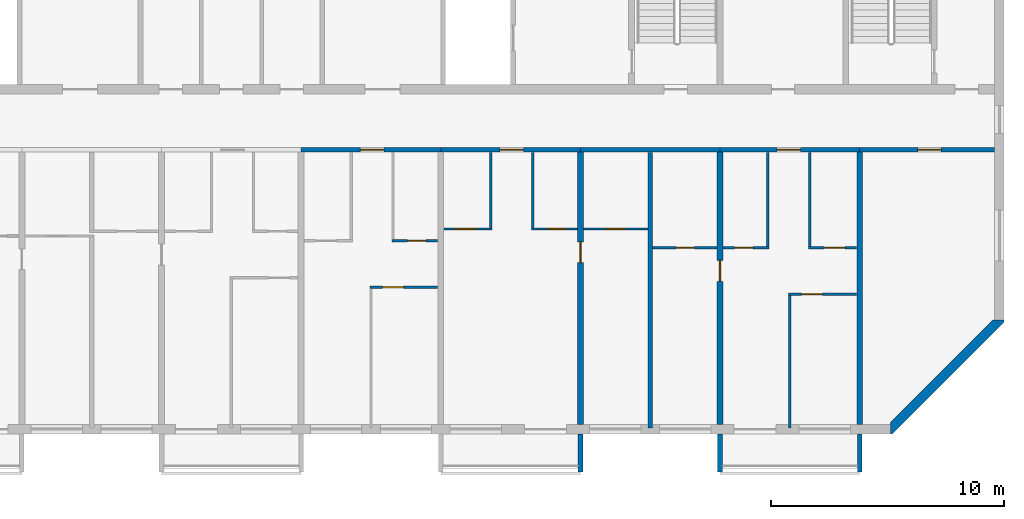
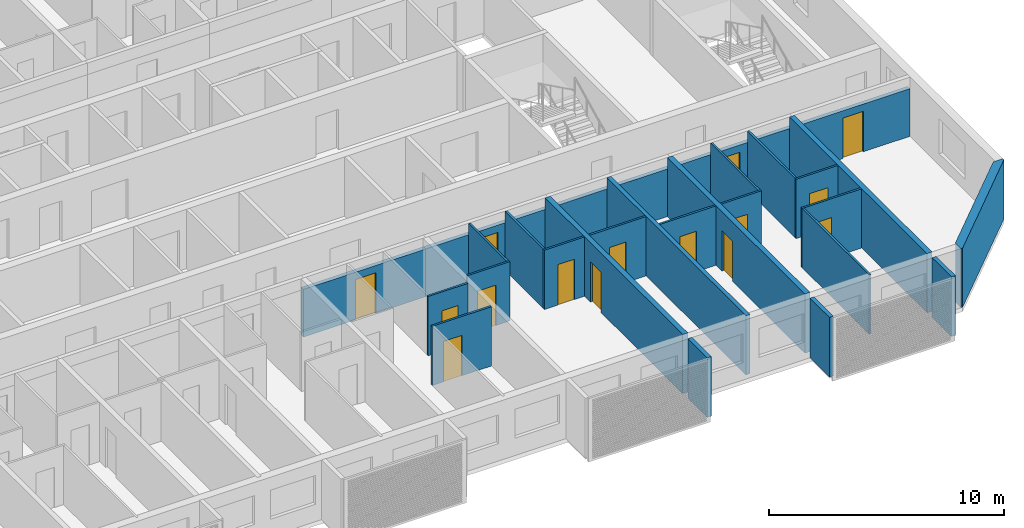
# One storey, part 5 of 27: 27 walls, 15 doors, 15 openings.
"""IFC4 building model written with IfcOpenShell, lengths in metres."""

from ifc_helpers import new_model, si_unit, direction, frame, frame_2d, origin, place, context, subcontext, project, spatial, polyline, rectangle, outline, extrude, source, transform, mapped, material, layer, layer_set, type_object, element, fill, save


model = new_model("IFC4")

# Units and contexts
model_context = context("Model", 3, precision=1e-05, world=origin(), true_north=direction((0.0, 1.0)))
body_context = subcontext(model_context, "Body", "Model", "MODEL_VIEW")
ifc_project = project(units=[si_unit("LENGTHUNIT", "METRE"), si_unit("AREAUNIT", "SQUARE_METRE"), si_unit("VOLUMEUNIT", "CUBIC_METRE"), si_unit("PLANEANGLEUNIT", "RADIAN"), si_unit("MASSUNIT", "GRAM", prefix="KILO")], contexts=[model_context])

# Site, building, storey
site_placement = place(None, origin())
site = spatial("IfcSite", under=ifc_project, at=site_placement, CompositionType="ELEMENT")
building_placement = place(site_placement, origin())
building = spatial("IfcBuilding", under=site, at=building_placement, Name="Poui Terraces", CompositionType="ELEMENT")
storey_placement = place(building_placement, frame((0.0, 0.0, 191.699951171875)))
storey = spatial("IfcBuildingStorey", under=building, at=storey_placement, Name="L53", CompositionType="ELEMENT", Elevation=191.699951171875)

# Wall, opening, door
ifc_material_1 = material(Name="Concrete 50 MPa", Category="concrete")
ifc_layer_1 = layer(ifc_material_1, 0.199951171875)
ifc_layer_set_1 = layer_set([ifc_layer_1], Name="Concrete 50 MPa")
wall_type_1 = type_object("IfcWallType", Name="CORRIDOR WALL 200 50MPa", PredefinedType="SHEAR", material=ifc_layer_set_1)
wall_1_placement = place(storey_placement, frame((54.0, 12.0, 0.0), z_axis=(0.0, 0.0, 1.0), x_axis=(1.0, 0.0, 0.0)))
wall_1 = element("IfcWall", 1, at=wall_1_placement, inside=storey, type_object=wall_type_1, Name="CORRIDOR WALL LINE B BAY 7", PredefinedType="SHEAR", context=body_context, shape_type="SweptSolid", body=[
    extrude(rectangle(XDim=6.0, YDim=0.199951171875, at=frame_2d((3.0, 0.0))), origin(), (0.0, 0.0, 1.0), 2.47998046875),
])
opening_1_placement = place(wall_1_placement, frame((2.550048828125, 0.0, 0.0)))
opening_1 = element("IfcOpeningElement", 2, at=opening_1_placement, cuts=wall_1, Name="Opening FD30S", PredefinedType="OPENING", context=body_context, shape_type="SweptSolid", body=[
    extrude(rectangle(XDim=1.0, YDim=2.10009765625, at=frame_2d((0.5, 1.050048828125))), frame((0.0, 0.10986328125, 0.0), z_axis=(0.0, -1.0, 0.0), x_axis=(1.0, 0.0, 0.0)), (0.0, 0.0, 1.0), 0.219970703125),
])
ifc_material_2 = material(Name="Steel fire door", Category="steel")
door_type_1 = type_object("IfcDoorType", Name="FLAT ENTRANCE DOOR 1000 X 2100", OperationType="NOTDEFINED", PredefinedType="DOOR", material=ifc_material_2)
door_1_placement = place(opening_1_placement, frame((1.0, 0.0, 0.0), z_axis=(0.0, 0.0, 1.0), x_axis=(-1.0, 0.0, 0.0)))
door_1 = element("IfcDoor", 3, at=door_1_placement, inside=storey, type_object=door_type_1, Name="FLAT ENTRANCE DOOR 084", OperationType="SINGLE_SWING_LEFT", OverallHeight=2.10009765625, OverallWidth=1.0, PredefinedType="DOOR", context=body_context, shape_type="SweptSolid", body=[
    extrude(rectangle(XDim=1.0, YDim=2.10009765625, at=frame_2d((0.5, 1.050048828125))), frame((0.0, 0.02490234375, 0.0), z_axis=(0.0, -1.0, 0.0), x_axis=(1.0, 0.0, 0.0)), (0.0, 0.0, 1.0), 0.050048828125),
])
fill(opening_1, door_1)

wall_2_placement = place(storey_placement, frame((60.0, 12.0, 0.0), z_axis=(0.0, 0.0, 1.0), x_axis=(1.0, 0.0, 0.0)))
wall_2 = element("IfcWall", 4, at=wall_2_placement, inside=storey, type_object=wall_type_1, Name="CORRIDOR WALL LINE B BAY 8", PredefinedType="SHEAR", context=body_context, shape_type="SweptSolid", body=[
    extrude(rectangle(XDim=6.0, YDim=0.199951171875, at=frame_2d((3.0, 0.0))), origin(), (0.0, 0.0, 1.0), 2.47998046875),
])
opening_2_placement = place(wall_2_placement, frame((2.550048828125, 0.0, 0.0)))
opening_2 = element("IfcOpeningElement", 5, at=opening_2_placement, cuts=wall_2, Name="Opening FD30S", PredefinedType="OPENING", context=body_context, shape_type="SweptSolid", body=[
    extrude(rectangle(XDim=1.0, YDim=2.10009765625, at=frame_2d((0.5, 1.050048828125))), frame((0.0, 0.10986328125, 0.0), z_axis=(0.0, -1.0, 0.0), x_axis=(1.0, 0.0, 0.0)), (0.0, 0.0, 1.0), 0.219970703125),
])
door_2_placement = place(opening_2_placement, frame((1.0, 0.0, 0.0), z_axis=(0.0, 0.0, 1.0), x_axis=(-1.0, 0.0, 0.0)))
door_2 = element("IfcDoor", 6, at=door_2_placement, inside=storey, type_object=door_type_1, Name="FLAT ENTRANCE DOOR 089", OperationType="SINGLE_SWING_LEFT", OverallHeight=2.10009765625, OverallWidth=1.0, PredefinedType="DOOR", context=body_context, shape_type="SweptSolid", body=[
    extrude(rectangle(XDim=1.0, YDim=2.10009765625, at=frame_2d((0.5, 1.050048828125))), frame((0.0, 0.02490234375, 0.0), z_axis=(0.0, -1.0, 0.0), x_axis=(1.0, 0.0, 0.0)), (0.0, 0.0, 1.0), 0.050048828125),
])
fill(opening_2, door_2)

# Wall
wall_3_placement = place(storey_placement, frame((66.0, 12.0, 0.0), z_axis=(0.0, 0.0, 1.0), x_axis=(1.0, 0.0, 0.0)))
element("IfcWall", 7, at=wall_3_placement, inside=storey, type_object=wall_type_1, Name="CORRIDOR WALL LINE B BAY 9", PredefinedType="SHEAR", context=body_context, shape_type="SweptSolid", body=[
    extrude(rectangle(XDim=6.0, YDim=0.199951171875, at=frame_2d((3.0, 0.0))), origin(), (0.0, 0.0, 1.0), 2.47998046875),
])

# Wall, opening, door
wall_4_placement = place(storey_placement, frame((72.0, 12.0, 0.0), z_axis=(0.0, 0.0, 1.0), x_axis=(1.0, 0.0, 0.0)))
wall_4 = element("IfcWall", 8, at=wall_4_placement, inside=storey, type_object=wall_type_1, Name="CORRIDOR WALL LINE B BAY 10", PredefinedType="SHEAR", context=body_context, shape_type="SweptSolid", body=[
    extrude(rectangle(XDim=6.0, YDim=0.199951171875, at=frame_2d((3.0, 0.0))), origin(), (0.0, 0.0, 1.0), 2.47998046875),
])
opening_3_placement = place(wall_4_placement, frame((2.449951171875, 0.0, 0.0)))
opening_3 = element("IfcOpeningElement", 9, at=opening_3_placement, cuts=wall_4, Name="Opening FD30S", PredefinedType="OPENING", context=body_context, shape_type="SweptSolid", body=[
    extrude(rectangle(XDim=1.0, YDim=2.10009765625, at=frame_2d((0.5, 1.050048828125))), frame((0.0, 0.10986328125, 0.0), z_axis=(0.0, -1.0, 0.0), x_axis=(1.0, 0.0, 0.0)), (0.0, 0.0, 1.0), 0.219970703125),
])
door_3_placement = place(opening_3_placement, frame((1.0, 0.0, 0.0), z_axis=(0.0, 0.0, 1.0), x_axis=(-1.0, 0.0, 0.0)))
door_3 = element("IfcDoor", 10, at=door_3_placement, inside=storey, type_object=door_type_1, Name="FLAT ENTRANCE DOOR 095", OperationType="SINGLE_SWING_RIGHT", OverallHeight=2.10009765625, OverallWidth=1.0, PredefinedType="DOOR", context=body_context, shape_type="SweptSolid", body=[
    extrude(rectangle(XDim=1.0, YDim=2.10009765625, at=frame_2d((0.5, 1.050048828125))), frame((0.0, 0.02490234375, 0.0), z_axis=(0.0, -1.0, 0.0), x_axis=(1.0, 0.0, 0.0)), (0.0, 0.0, 1.0), 0.050048828125),
])
fill(opening_3, door_3)

wall_5_placement = place(storey_placement, frame((78.0, 12.0, 0.0), z_axis=(0.0, 0.0, 1.0), x_axis=(1.0, 0.0, 0.0)))
wall_5 = element("IfcWall", 11, at=wall_5_placement, inside=storey, type_object=wall_type_1, Name="CORRIDOR WALL LINE B BAY 11", PredefinedType="SHEAR", context=body_context, shape_type="SweptSolid", body=[
    extrude(rectangle(XDim=5.800048828125, YDim=0.199951171875, at=frame_2d((2.89990234375, 0.0))), origin(), (0.0, 0.0, 1.0), 2.47998046875),
])
opening_4_placement = place(wall_5_placement, frame((2.5, 0.0, 0.0)))
opening_4 = element("IfcOpeningElement", 12, at=opening_4_placement, cuts=wall_5, Name="Opening D100", PredefinedType="OPENING", context=body_context, shape_type="SweptSolid", body=[
    extrude(rectangle(XDim=1.0, YDim=2.10009765625, at=frame_2d((0.5, 1.050048828125))), frame((0.0, 0.10986328125, 0.0), z_axis=(0.0, -1.0, 0.0), x_axis=(1.0, 0.0, 0.0)), (0.0, 0.0, 1.0), 0.219970703125),
])
ifc_material_3 = material(Name="Solid core timber door", Category="wood")
door_type_2 = type_object("IfcDoorType", Name="ACCESSIBLE INTERNAL DOOR 1000 X 2100", OperationType="NOTDEFINED", PredefinedType="DOOR", material=ifc_material_3)
door_4_placement = place(opening_4_placement, frame((1.0, 0.0, 0.0), z_axis=(0.0, 0.0, 1.0), x_axis=(-1.0, 0.0, 0.0)))
door_4 = element("IfcDoor", 13, at=door_4_placement, inside=storey, type_object=door_type_2, Name="ACCESSIBLE INTERNAL DOOR 098", OperationType="SINGLE_SWING_RIGHT", OverallHeight=2.10009765625, OverallWidth=1.0, PredefinedType="DOOR", context=body_context, shape_type="SweptSolid", body=[
    extrude(rectangle(XDim=1.0, YDim=2.10009765625, at=frame_2d((0.5, 1.050048828125))), frame((0.0, 0.02490234375, 0.0), z_axis=(0.0, -1.0, 0.0), x_axis=(1.0, 0.0, 0.0)), (0.0, 0.0, 1.0), 0.050048828125),
])
fill(opening_4, door_4)

ifc_layer_2 = layer(ifc_material_1, 0.25)
ifc_layer_set_2 = layer_set([ifc_layer_2], Name="Concrete 50 MPa")
wall_type_2 = type_object("IfcWallType", Name="CROSS WALL 250 50MPa", PredefinedType="SHEAR", material=ifc_layer_set_2)
wall_6_placement = place(storey_placement, frame((66.0, 0.199951171875, 0.0), z_axis=(0.0, 0.0, 1.0), x_axis=(0.0, 1.0, 0.0)))
wall_6 = element("IfcWall", 14, at=wall_6_placement, inside=storey, type_object=wall_type_2, Name="CROSS WALL LINE 12 SOUTH", PredefinedType="SHEAR", context=body_context, shape_type="SweptSolid", body=[
    extrude(rectangle(XDim=11.699951171875, YDim=0.25, at=frame_2d((5.85009765625, 0.0))), origin(), (0.0, 0.0, 1.0), 3.080078125),
])
opening_5_placement = place(wall_6_placement, frame((6.949951171875, 0.0, 0.0)))
opening_5 = element("IfcOpeningElement", 15, at=opening_5_placement, cuts=wall_6, Name="Opening D90", PredefinedType="OPENING", context=body_context, shape_type="SweptSolid", body=[
    extrude(rectangle(XDim=0.89990234375, YDim=2.10009765625, at=frame_2d((0.449951171875, 1.050048828125))), frame((0.0, 0.135009765625, 0.0), z_axis=(0.0, -1.0, 0.0), x_axis=(1.0, 0.0, 0.0)), (0.0, 0.0, 1.0), 0.27001953125),
])
door_type_3 = type_object("IfcDoorType", Name="INTERNAL DOOR 900 X 2100", OperationType="NOTDEFINED", PredefinedType="DOOR", material=ifc_material_3)
door_5_placement = place(opening_5_placement, frame((0.89990234375, 0.0, 0.0), z_axis=(0.0, 0.0, 1.0), x_axis=(-1.0, 0.0, 0.0)))
door_5 = element("IfcDoor", 16, at=door_5_placement, inside=storey, type_object=door_type_3, Name="INTERNAL DOOR 091", OperationType="SINGLE_SWING_LEFT", OverallHeight=2.10009765625, OverallWidth=0.89990234375, PredefinedType="DOOR", context=body_context, shape_type="SweptSolid", body=[
    extrude(rectangle(XDim=0.89990234375, YDim=2.10009765625, at=frame_2d((0.449951171875, 1.050048828125))), frame((0.0, 0.02490234375, 0.0), z_axis=(0.0, -1.0, 0.0), x_axis=(1.0, 0.0, 0.0)), (0.0, 0.0, 1.0), 0.050048828125),
])
fill(opening_5, door_5)

wall_7_placement = place(storey_placement, frame((72.0, 0.199951171875, 0.0), z_axis=(0.0, 0.0, 1.0), x_axis=(0.0, 1.0, 0.0)))
wall_7 = element("IfcWall", 17, at=wall_7_placement, inside=storey, type_object=wall_type_2, Name="CROSS WALL LINE 13 SOUTH", PredefinedType="SHEAR", context=body_context, shape_type="SweptSolid", body=[
    extrude(rectangle(XDim=11.699951171875, YDim=0.25, at=frame_2d((5.85009765625, 0.0))), origin(), (0.0, 0.0, 1.0), 3.080078125),
])
opening_6_placement = place(wall_7_placement, frame((6.14990234375, 0.0, 0.0)))
opening_6 = element("IfcOpeningElement", 18, at=opening_6_placement, cuts=wall_7, Name="Opening D90", PredefinedType="OPENING", context=body_context, shape_type="SweptSolid", body=[
    extrude(rectangle(XDim=0.89990234375, YDim=2.10009765625, at=frame_2d((0.449951171875, 1.050048828125))), frame((0.0, 0.135009765625, 0.0), z_axis=(0.0, -1.0, 0.0), x_axis=(1.0, 0.0, 0.0)), (0.0, 0.0, 1.0), 0.27001953125),
])
door_6_placement = place(opening_6_placement, origin())
door_6 = element("IfcDoor", 19, at=door_6_placement, inside=storey, type_object=door_type_3, Name="INTERNAL DOOR 093", OperationType="SINGLE_SWING_RIGHT", OverallHeight=2.10009765625, OverallWidth=0.89990234375, PredefinedType="DOOR", context=body_context, shape_type="SweptSolid", body=[
    extrude(rectangle(XDim=0.89990234375, YDim=2.10009765625, at=frame_2d((0.449951171875, 1.050048828125))), frame((0.0, 0.02490234375, 0.0), z_axis=(0.0, -1.0, 0.0), x_axis=(1.0, 0.0, 0.0)), (0.0, 0.0, 1.0), 0.050048828125),
])
fill(opening_6, door_6)

# Wall
wall_8_placement = place(storey_placement, frame((78.0, 0.199951171875, 0.0), z_axis=(0.0, 0.0, 1.0), x_axis=(0.0, 1.0, 0.0)))
element("IfcWall", 20, at=wall_8_placement, inside=storey, type_object=wall_type_2, Name="CROSS WALL LINE 14 SOUTH", PredefinedType="SHEAR", context=body_context, shape_type="SweptSolid", body=[
    extrude(rectangle(XDim=11.699951171875, YDim=0.25, at=frame_2d((5.85009765625, 0.0))), origin(), (0.0, 0.0, 1.0), 3.080078125),
])

# Wall, opening, door
ifc_material_4 = material(Name="Plasterboard partition")
ifc_layer_3 = layer(ifc_material_4, 0.10009765625)
ifc_layer_set_3 = layer_set([ifc_layer_3], Name="Plasterboard partition")
wall_type_3 = type_object("IfcWallType", Name="FLAT PARTITION 100", PredefinedType="PARTITIONING", material=ifc_layer_set_3)
wall_9_placement = place(storey_placement, frame((74.949951171875, 5.800048828125, 0.0), z_axis=(0.0, 0.0, 1.0), x_axis=(1.0, 0.0, 0.0)))
wall_9 = element("IfcWall", 21, at=wall_9_placement, inside=storey, type_object=wall_type_3, Name="FLAT PARTITION 100", PredefinedType="PARTITIONING", context=body_context, shape_type="SweptSolid", body=[
    extrude(rectangle(XDim=2.9150390625, YDim=0.10009765625, at=frame_2d((1.45751953125, 0.0))), origin(), (0.0, 0.0, 1.0), 3.080078125),
])
opening_7_placement = place(wall_9_placement, frame((0.550048828125, 0.0, 0.0)))
opening_7 = element("IfcOpeningElement", 22, at=opening_7_placement, cuts=wall_9, Name="Opening D90", PredefinedType="OPENING", context=body_context, shape_type="SweptSolid", body=[
    extrude(rectangle(XDim=0.89990234375, YDim=2.10009765625, at=frame_2d((0.449951171875, 1.050048828125))), frame((0.0, 0.06005859375, 0.0), z_axis=(0.0, -1.0, 0.0), x_axis=(1.0, 0.0, 0.0)), (0.0, 0.0, 1.0), 0.1201171875),
])
door_7_placement = place(opening_7_placement, origin())
door_7 = element("IfcDoor", 23, at=door_7_placement, inside=storey, type_object=door_type_3, Name="INTERNAL DOOR 096", OperationType="SINGLE_SWING_RIGHT", OverallHeight=2.10009765625, OverallWidth=0.89990234375, PredefinedType="DOOR", context=body_context, shape_type="SweptSolid", body=[
    extrude(rectangle(XDim=0.89990234375, YDim=2.10009765625, at=frame_2d((0.449951171875, 1.050048828125))), frame((0.0, 0.02490234375, 0.0), z_axis=(0.0, -1.0, 0.0), x_axis=(1.0, 0.0, 0.0)), (0.0, 0.0, 1.0), 0.050048828125),
])
fill(opening_7, door_7)

wall_10_placement = place(storey_placement, frame((56.949951171875, 6.10009765625, 0.0), z_axis=(0.0, 0.0, 1.0), x_axis=(1.0, 0.0, 0.0)))
wall_10 = element("IfcWall", 24, at=wall_10_placement, inside=storey, type_object=wall_type_3, Name="FLAT PARTITION 100", PredefinedType="PARTITIONING", context=body_context, shape_type="SweptSolid", body=[
    extrude(rectangle(XDim=2.9150390625, YDim=0.10009765625, at=frame_2d((1.45751953125, 0.0))), origin(), (0.0, 0.0, 1.0), 3.080078125),
])
opening_8_placement = place(wall_10_placement, frame((0.550048828125, 0.0, 0.0)))
opening_8 = element("IfcOpeningElement", 25, at=opening_8_placement, cuts=wall_10, Name="Opening D90", PredefinedType="OPENING", context=body_context, shape_type="SweptSolid", body=[
    extrude(rectangle(XDim=0.89990234375, YDim=2.10009765625, at=frame_2d((0.449951171875, 1.050048828125))), frame((0.0, 0.06005859375, 0.0), z_axis=(0.0, -1.0, 0.0), x_axis=(1.0, 0.0, 0.0)), (0.0, 0.0, 1.0), 0.1201171875),
])
door_8_placement = place(opening_8_placement, origin())
door_8 = element("IfcDoor", 26, at=door_8_placement, inside=storey, type_object=door_type_3, Name="INTERNAL DOOR 085", OperationType="SINGLE_SWING_RIGHT", OverallHeight=2.10009765625, OverallWidth=0.89990234375, PredefinedType="DOOR", context=body_context, shape_type="SweptSolid", body=[
    extrude(rectangle(XDim=0.89990234375, YDim=2.10009765625, at=frame_2d((0.449951171875, 1.050048828125))), frame((0.0, 0.02490234375, 0.0), z_axis=(0.0, -1.0, 0.0), x_axis=(1.0, 0.0, 0.0)), (0.0, 0.0, 1.0), 0.050048828125),
])
fill(opening_8, door_8)

wall_11_placement = place(storey_placement, frame((69.10009765625, 7.800048828125, 0.0), z_axis=(0.0, 0.0, 1.0), x_axis=(1.0, 0.0, 0.0)))
wall_11 = element("IfcWall", 27, at=wall_11_placement, inside=storey, type_object=wall_type_3, Name="FLAT PARTITION 100", PredefinedType="PARTITIONING", context=body_context, shape_type="SweptSolid", body=[
    extrude(rectangle(XDim=2.764892578125, YDim=0.10009765625, at=frame_2d((1.38232421875, 0.0))), origin(), (0.0, 0.0, 1.0), 3.080078125),
])
opening_9_placement = place(wall_11_placement, frame((1.0, 0.0, 0.0)))
opening_9 = element("IfcOpeningElement", 28, at=opening_9_placement, cuts=wall_11, Name="Opening D80", PredefinedType="OPENING", context=body_context, shape_type="SweptSolid", body=[
    extrude(rectangle(XDim=0.800048828125, YDim=2.10009765625, at=frame_2d((0.39990234375, 1.050048828125))), frame((0.0, 0.06005859375, 0.0), z_axis=(0.0, -1.0, 0.0), x_axis=(1.0, 0.0, 0.0)), (0.0, 0.0, 1.0), 0.1201171875),
])
door_type_4 = type_object("IfcDoorType", Name="BATHROOM, LAUNDRY AND STORE DOOR 800 X 2100", OperationType="NOTDEFINED", PredefinedType="DOOR", material=ifc_material_3)
door_9_placement = place(opening_9_placement, origin())
door_9 = element("IfcDoor", 29, at=door_9_placement, inside=storey, type_object=door_type_4, Name="BATHROOM, LAUNDRY AND STORE DOOR 092", OperationType="SINGLE_SWING_RIGHT", OverallHeight=2.10009765625, OverallWidth=0.800048828125, PredefinedType="DOOR", context=body_context, shape_type="SweptSolid", body=[
    extrude(rectangle(XDim=0.800048828125, YDim=2.10009765625, at=frame_2d((0.39990234375, 1.050048828125))), frame((0.0, 0.02490234375, 0.0), z_axis=(0.0, -1.0, 0.0), x_axis=(1.0, 0.0, 0.0)), (0.0, 0.0, 1.0), 0.050048828125),
])
fill(opening_9, door_9)

wall_12_placement = place(storey_placement, frame((72.135009765625, 7.800048828125, 0.0), z_axis=(0.0, 0.0, 1.0), x_axis=(1.0, 0.0, 0.0)))
wall_12 = element("IfcWall", 30, at=wall_12_placement, inside=storey, type_object=wall_type_3, Name="FLAT PARTITION 100", PredefinedType="PARTITIONING", context=body_context, shape_type="SweptSolid", body=[
    extrude(rectangle(XDim=1.965087890625, YDim=0.10009765625, at=frame_2d((0.982421875, 0.0))), origin(), (0.0, 0.0, 1.0), 3.080078125),
])
opening_10_placement = place(wall_12_placement, frame((0.489990234375, 0.0, 0.0)))
opening_10 = element("IfcOpeningElement", 31, at=opening_10_placement, cuts=wall_12, Name="Opening D80", PredefinedType="OPENING", context=body_context, shape_type="SweptSolid", body=[
    extrude(rectangle(XDim=0.800048828125, YDim=2.10009765625, at=frame_2d((0.39990234375, 1.050048828125))), frame((0.0, 0.06005859375, 0.0), z_axis=(0.0, -1.0, 0.0), x_axis=(1.0, 0.0, 0.0)), (0.0, 0.0, 1.0), 0.1201171875),
])
door_10_placement = place(opening_10_placement, origin())
door_10 = element("IfcDoor", 32, at=door_10_placement, inside=storey, type_object=door_type_4, Name="BATHROOM, LAUNDRY AND STORE DOOR 094", OperationType="SINGLE_SWING_RIGHT", OverallHeight=2.10009765625, OverallWidth=0.800048828125, PredefinedType="DOOR", context=body_context, shape_type="SweptSolid", body=[
    extrude(rectangle(XDim=0.800048828125, YDim=2.10009765625, at=frame_2d((0.39990234375, 1.050048828125))), frame((0.0, 0.02490234375, 0.0), z_axis=(0.0, -1.0, 0.0), x_axis=(1.0, 0.0, 0.0)), (0.0, 0.0, 1.0), 0.050048828125),
])
fill(opening_10, door_10)

wall_13_placement = place(storey_placement, frame((75.800048828125, 7.800048828125, 0.0), z_axis=(0.0, 0.0, 1.0), x_axis=(1.0, 0.0, 0.0)))
wall_13 = element("IfcWall", 33, at=wall_13_placement, inside=storey, type_object=wall_type_3, Name="FLAT PARTITION 100", PredefinedType="PARTITIONING", context=body_context, shape_type="SweptSolid", body=[
    extrude(rectangle(XDim=2.06494140625, YDim=0.10009765625, at=frame_2d((1.032470703125, 0.0))), origin(), (0.0, 0.0, 1.0), 3.080078125),
])
opening_11_placement = place(wall_13_placement, frame((0.675048828125, 0.0, 0.0)))
opening_11 = element("IfcOpeningElement", 34, at=opening_11_placement, cuts=wall_13, Name="Opening D90", PredefinedType="OPENING", context=body_context, shape_type="SweptSolid", body=[
    extrude(rectangle(XDim=0.89990234375, YDim=2.10009765625, at=frame_2d((0.449951171875, 1.050048828125))), frame((0.0, 0.06005859375, 0.0), z_axis=(0.0, -1.0, 0.0), x_axis=(1.0, 0.0, 0.0)), (0.0, 0.0, 1.0), 0.1201171875),
])
door_11_placement = place(opening_11_placement, origin())
door_11 = element("IfcDoor", 35, at=door_11_placement, inside=storey, type_object=door_type_3, Name="INTERNAL DOOR 097", OperationType="SINGLE_SWING_LEFT", OverallHeight=2.10009765625, OverallWidth=0.89990234375, PredefinedType="DOOR", context=body_context, shape_type="SweptSolid", body=[
    extrude(rectangle(XDim=0.89990234375, YDim=2.10009765625, at=frame_2d((0.449951171875, 1.050048828125))), frame((0.0, 0.02490234375, 0.0), z_axis=(0.0, -1.0, 0.0), x_axis=(1.0, 0.0, 0.0)), (0.0, 0.0, 1.0), 0.050048828125),
])
fill(opening_11, door_11)

wall_14_placement = place(storey_placement, frame((57.89990234375, 8.10009765625, 0.0), z_axis=(0.0, 0.0, 1.0), x_axis=(1.0, 0.0, 0.0)))
wall_14 = element("IfcWall", 36, at=wall_14_placement, inside=storey, type_object=wall_type_3, Name="FLAT PARTITION 100", PredefinedType="PARTITIONING", context=body_context, shape_type="SweptSolid", body=[
    extrude(rectangle(XDim=1.965087890625, YDim=0.10009765625, at=frame_2d((0.982421875, 0.0))), origin(), (0.0, 0.0, 1.0), 3.080078125),
])
opening_12_placement = place(wall_14_placement, frame((0.675048828125, 0.0, 0.0)))
opening_12 = element("IfcOpeningElement", 37, at=opening_12_placement, cuts=wall_14, Name="Opening D80", PredefinedType="OPENING", context=body_context, shape_type="SweptSolid", body=[
    extrude(rectangle(XDim=0.800048828125, YDim=2.10009765625, at=frame_2d((0.39990234375, 1.050048828125))), frame((0.0, 0.06005859375, 0.0), z_axis=(0.0, -1.0, 0.0), x_axis=(1.0, 0.0, 0.0)), (0.0, 0.0, 1.0), 0.1201171875),
])
door_12_placement = place(opening_12_placement, origin())
door_12 = element("IfcDoor", 38, at=door_12_placement, inside=storey, type_object=door_type_4, Name="BATHROOM, LAUNDRY AND STORE DOOR 086", OperationType="SINGLE_SWING_LEFT", OverallHeight=2.10009765625, OverallWidth=0.800048828125, PredefinedType="DOOR", context=body_context, shape_type="SweptSolid", body=[
    extrude(rectangle(XDim=0.800048828125, YDim=2.10009765625, at=frame_2d((0.39990234375, 1.050048828125))), frame((0.0, 0.02490234375, 0.0), z_axis=(0.0, -1.0, 0.0), x_axis=(1.0, 0.0, 0.0)), (0.0, 0.0, 1.0), 0.050048828125),
])
fill(opening_12, door_12)

wall_15_placement = place(storey_placement, frame((60.135009765625, 8.60009765625, 0.0), z_axis=(0.0, 0.0, 1.0), x_axis=(1.0, 0.0, 0.0)))
wall_15 = element("IfcWall", 39, at=wall_15_placement, inside=storey, type_object=wall_type_3, Name="FLAT PARTITION 100", PredefinedType="PARTITIONING", context=body_context, shape_type="SweptSolid", body=[
    extrude(rectangle(XDim=2.06494140625, YDim=0.10009765625, at=frame_2d((1.032470703125, 0.0))), origin(), (0.0, 0.0, 1.0), 3.080078125),
])
opening_13_placement = place(wall_15_placement, frame((0.489990234375, 0.0, 0.0)))
opening_13 = element("IfcOpeningElement", 40, at=opening_13_placement, cuts=wall_15, Name="Opening D90", PredefinedType="OPENING", context=body_context, shape_type="SweptSolid", body=[
    extrude(rectangle(XDim=0.89990234375, YDim=2.10009765625, at=frame_2d((0.449951171875, 1.050048828125))), frame((0.0, 0.06005859375, 0.0), z_axis=(0.0, -1.0, 0.0), x_axis=(1.0, 0.0, 0.0)), (0.0, 0.0, 1.0), 0.1201171875),
])
door_13_placement = place(opening_13_placement, origin())
door_13 = element("IfcDoor", 41, at=door_13_placement, inside=storey, type_object=door_type_3, Name="INTERNAL DOOR 088", OperationType="SINGLE_SWING_RIGHT", OverallHeight=2.10009765625, OverallWidth=0.89990234375, PredefinedType="DOOR", context=body_context, shape_type="SweptSolid", body=[
    extrude(rectangle(XDim=0.89990234375, YDim=2.10009765625, at=frame_2d((0.449951171875, 1.050048828125))), frame((0.0, 0.02490234375, 0.0), z_axis=(0.0, -1.0, 0.0), x_axis=(1.0, 0.0, 0.0)), (0.0, 0.0, 1.0), 0.050048828125),
])
fill(opening_13, door_13)

wall_16_placement = place(storey_placement, frame((63.89990234375, 8.60009765625, 0.0), z_axis=(0.0, 0.0, 1.0), x_axis=(1.0, 0.0, 0.0)))
wall_16 = element("IfcWall", 42, at=wall_16_placement, inside=storey, type_object=wall_type_3, Name="FLAT PARTITION 100", PredefinedType="PARTITIONING", context=body_context, shape_type="SweptSolid", body=[
    extrude(rectangle(XDim=1.965087890625, YDim=0.10009765625, at=frame_2d((0.982421875, 0.0))), origin(), (0.0, 0.0, 1.0), 3.080078125),
])
opening_14_placement = place(wall_16_placement, frame((0.675048828125, 0.0, 0.0)))
opening_14 = element("IfcOpeningElement", 43, at=opening_14_placement, cuts=wall_16, Name="Opening D80", PredefinedType="OPENING", context=body_context, shape_type="SweptSolid", body=[
    extrude(rectangle(XDim=0.800048828125, YDim=2.10009765625, at=frame_2d((0.39990234375, 1.050048828125))), frame((0.0, 0.06005859375, 0.0), z_axis=(0.0, -1.0, 0.0), x_axis=(1.0, 0.0, 0.0)), (0.0, 0.0, 1.0), 0.1201171875),
])
door_14_placement = place(opening_14_placement, origin())
door_14 = element("IfcDoor", 44, at=door_14_placement, inside=storey, type_object=door_type_4, Name="BATHROOM, LAUNDRY AND STORE DOOR 090", OperationType="SINGLE_SWING_LEFT", OverallHeight=2.10009765625, OverallWidth=0.800048828125, PredefinedType="DOOR", context=body_context, shape_type="SweptSolid", body=[
    extrude(rectangle(XDim=0.800048828125, YDim=2.10009765625, at=frame_2d((0.39990234375, 1.050048828125))), frame((0.0, 0.02490234375, 0.0), z_axis=(0.0, -1.0, 0.0), x_axis=(1.0, 0.0, 0.0)), (0.0, 0.0, 1.0), 0.050048828125),
])
fill(opening_14, door_14)

wall_17_placement = place(storey_placement, frame((66.135009765625, 8.60009765625, 0.0), z_axis=(0.0, 0.0, 1.0), x_axis=(1.0, 0.0, 0.0)))
wall_17 = element("IfcWall", 45, at=wall_17_placement, inside=storey, type_object=wall_type_3, Name="FLAT PARTITION 100", PredefinedType="PARTITIONING", context=body_context, shape_type="SweptSolid", body=[
    extrude(rectangle(XDim=2.764892578125, YDim=0.10009765625, at=frame_2d((1.38232421875, 0.0))), origin(), (0.0, 0.0, 1.0), 3.080078125),
])
opening_15_placement = place(wall_17_placement, frame((0.965087890625, 0.0, 0.0)))
opening_15 = element("IfcOpeningElement", 46, at=opening_15_placement, cuts=wall_17, Name="Opening D80", PredefinedType="OPENING", context=body_context, shape_type="SweptSolid", body=[
    extrude(rectangle(XDim=0.800048828125, YDim=2.10009765625, at=frame_2d((0.39990234375, 1.050048828125))), frame((0.0, 0.06005859375, 0.0), z_axis=(0.0, -1.0, 0.0), x_axis=(1.0, 0.0, 0.0)), (0.0, 0.0, 1.0), 0.1201171875),
])
door_15_placement = place(opening_15_placement, origin())
door_15 = element("IfcDoor", 47, at=door_15_placement, inside=storey, type_object=door_type_4, Name="BATHROOM, LAUNDRY AND STORE DOOR 087", OperationType="SINGLE_SWING_LEFT", OverallHeight=2.10009765625, OverallWidth=0.800048828125, PredefinedType="DOOR", context=body_context, shape_type="SweptSolid", body=[
    extrude(rectangle(XDim=0.800048828125, YDim=2.10009765625, at=frame_2d((0.39990234375, 1.050048828125))), frame((0.0, 0.02490234375, 0.0), z_axis=(0.0, -1.0, 0.0), x_axis=(1.0, 0.0, 0.0)), (0.0, 0.0, 1.0), 0.050048828125),
])
fill(opening_15, door_15)

# Walls
for number, where, z_axis, x_axis, name in (
    (48, (62.14990234375, 8.64990234375, 0.0), (0.0, 0.0, 1.0), (0.0, 1.0, 0.0), "FLAT PARTITION 100"),
    (49, (63.949951171875, 8.64990234375, 0.0), (0.0, 0.0, 1.0), (0.0, 1.0, 0.0), "FLAT PARTITION 100"),
):
    element("IfcWall", number, at=place(storey_placement, frame(where, z_axis=z_axis, x_axis=x_axis)), inside=storey, type_object=wall_type_3, Name=name, PredefinedType="PARTITIONING", context=body_context, shape_type="SweptSolid", body=[
        extrude(rectangle(XDim=3.239990234375, YDim=0.10009765625, at=frame_2d((1.6201171875, 0.0))), origin(), (0.0, 0.0, 1.0), 3.080078125),
    ])
wall_18_placement = place(storey_placement, frame((74.050048828125, 7.85009765625, 0.0), z_axis=(0.0, 0.0, 1.0), x_axis=(0.0, 1.0, 0.0)))
element("IfcWall", 50, at=wall_18_placement, inside=storey, type_object=wall_type_3, Name="FLAT PARTITION 100", PredefinedType="PARTITIONING", context=body_context, shape_type="SweptSolid", body=[
    extrude(rectangle(XDim=4.039794921875, YDim=0.10009765625, at=frame_2d((2.02001953125, 0.0))), origin(), (0.0, 0.0, 1.0), 3.080078125),
])
wall_19_placement = place(storey_placement, frame((75.0, 0.06005859375, 0.0), z_axis=(0.0, 0.0, 1.0), x_axis=(0.0, 1.0, 0.0)))
element("IfcWall", 51, at=wall_19_placement, inside=storey, type_object=wall_type_3, Name="FLAT PARTITION 100", PredefinedType="PARTITIONING", context=body_context, shape_type="SweptSolid", body=[
    extrude(rectangle(XDim=5.68994140625, YDim=0.10009765625, at=frame_2d((2.844970703125, 0.0))), origin(), (0.0, 0.0, 1.0), 3.080078125),
])
wall_20_placement = place(storey_placement, frame((75.85009765625, 7.85009765625, 0.0), z_axis=(0.0, 0.0, 1.0), x_axis=(0.0, 1.0, 0.0)))
element("IfcWall", 52, at=wall_20_placement, inside=storey, type_object=wall_type_3, Name="FLAT PARTITION 100", PredefinedType="PARTITIONING", context=body_context, shape_type="SweptSolid", body=[
    extrude(rectangle(XDim=4.039794921875, YDim=0.10009765625, at=frame_2d((2.02001953125, 0.0))), origin(), (0.0, 0.0, 1.0), 3.080078125),
])
ifc_material_5 = material(Name="Fire-rated masonry wall", Category="masonry")
ifc_layer_4 = layer(ifc_material_5, 0.199951171875)
ifc_layer_set_4 = layer_set([ifc_layer_4], Name="Fire-rated masonry wall")
wall_type_4 = type_object("IfcWallType", Name="FLAT PARTY WALL 200", PredefinedType="PARTITIONING", material=ifc_layer_set_4)
wall_21_placement = place(storey_placement, frame((69.0, 0.06005859375, 0.0), z_axis=(0.0, 0.0, 1.0), x_axis=(0.0, 1.0, 0.0)))
element("IfcWall", 53, at=wall_21_placement, inside=storey, type_object=wall_type_4, Name="FLAT PARTY WALL 200", PredefinedType="PARTITIONING", context=body_context, shape_type="SweptSolid", body=[
    extrude(rectangle(XDim=11.829833984375, YDim=0.199951171875, at=frame_2d((5.9150390625, 0.0))), origin(), (0.0, 0.0, 1.0), 3.080078125),
])
ifc_material_6 = material(Name="Precast concrete 40 MPa", Category="concrete")
ifc_layer_5 = layer(ifc_material_6, 0.39990234375)
ifc_layer_set_5 = layer_set([ifc_layer_5], Name="Precast concrete 40 MPa")
wall_type_5 = type_object("IfcWallType", Name="TERRACOTTA CLAD CHAMFER WALL 400", PredefinedType="STANDARD", material=ifc_layer_set_5)
wall_22_placement = place(storey_placement, origin())
element("IfcWall", 54, at=wall_22_placement, inside=storey, type_object=wall_type_5, Name="CHAMFER WALL CH01", PredefinedType="STANDARD", context=body_context, shape_type="SweptSolid", body=[
    extrude(outline(polyline([(79.317138671875, -0.199951171875), (79.39990234375, -0.199951171875), (84.199951171875, 4.60009765625), (84.199951171875, 4.682861328125), (83.71728515625, 4.682861328125), (79.317138671875, 0.28271484375), (79.317138671875, -0.199951171875)])), origin(), (0.0, 0.0, 1.0), 3.080078125),
])
ifc_layer_6 = layer(ifc_material_6, 0.199951171875)
ifc_layer_set_6 = layer_set([ifc_layer_6], Name="Precast concrete 40 MPa")
wall_type_6 = type_object("IfcWallType", Name="REAR FIN 200", PredefinedType="STANDARD", material=ifc_layer_set_6)
shared_shape = source(origin(), body_context, "Body", "SweptSolid", [
    extrude(outline(polyline([(0.0, 0.0), (0.2001953125, 0.0), (0.2001953125, 1.650146484375), (0.0, 1.650146484375), (0.0, 0.0)])), origin(), (0.0, 0.0, 1.0), 3.10009765625),
])
for number, where, name in (
    (55, (65.89990234375, -1.85009765625, 0.0), "REAR FIN"),
    (56, (71.89990234375, -1.85009765625, 0.0), "REAR FIN"),
    (57, (77.89990234375, -1.85009765625, 0.0), "REAR FIN"),
):
    element("IfcWall", number, at=place(storey_placement, frame(where)), inside=storey, type_object=wall_type_6, Name=name, PredefinedType="STANDARD", context=body_context, shape_type="MappedRepresentation", body=[
        mapped(shared_shape, transform((0.0, 0.0, 0.0))),
    ])

save(model, "model.ifc")
